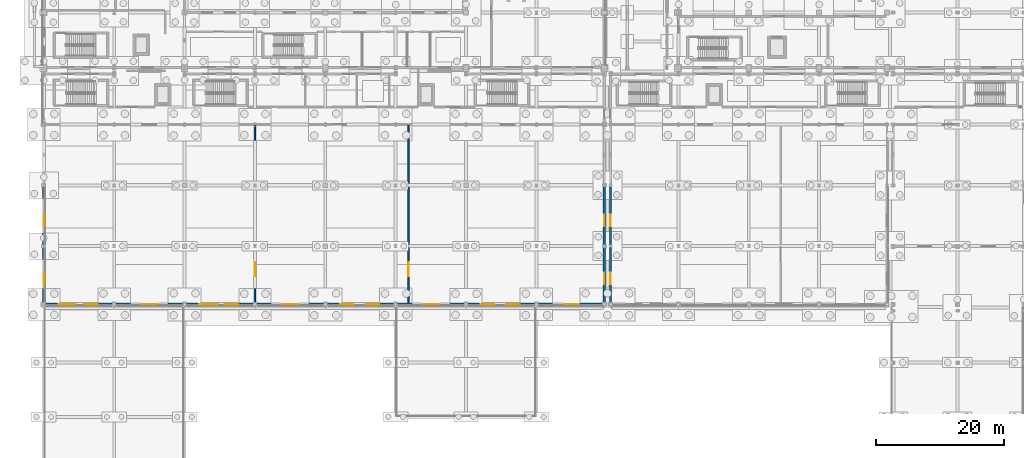
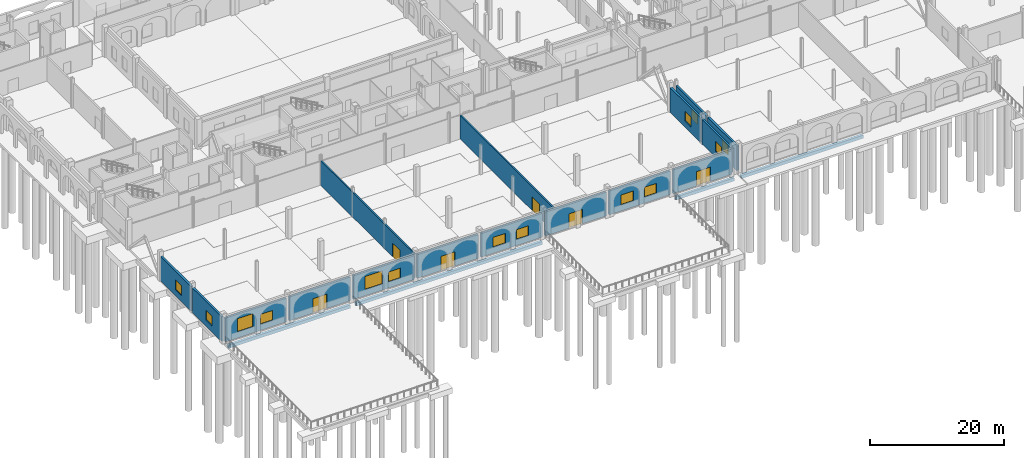
# One storey, part 51 of 83: 20 walls, 14 windows, 6 doors, 20 openings.
"""IFC4 building model written with IfcOpenShell, lengths in metres."""

from ifc_helpers import new_model, si_unit, direction, frame, frame_2d, origin, place, context, subcontext, project, spatial, rectangle, extrude, material, layer, layer_set, type_object, element, fill, save


model = new_model("IFC4")

# Units and contexts
model_context = context("Model", 3, precision=1e-05, world=origin(), true_north=direction((0.0, 1.0)))
body_context = subcontext(model_context, "Body", "Model", "MODEL_VIEW")
ifc_project = project(units=[si_unit("LENGTHUNIT", "METRE"), si_unit("AREAUNIT", "SQUARE_METRE"), si_unit("VOLUMEUNIT", "CUBIC_METRE"), si_unit("PLANEANGLEUNIT", "RADIAN"), si_unit("MASSUNIT", "GRAM", prefix="KILO")], contexts=[model_context])

# Site, building, storey
site_placement = place(None, origin())
site = spatial("IfcSite", under=ifc_project, at=site_placement, CompositionType="ELEMENT")
building_placement = place(site_placement, origin())
building = spatial("IfcBuilding", under=site, at=building_placement, Name="Caurita Quay Ferry Terminal", CompositionType="ELEMENT")
storey_placement = place(building_placement, origin())
storey = spatial("IfcBuildingStorey", under=building, at=storey_placement, Name="L00", CompositionType="ELEMENT", Elevation=0.0)

# Wall, opening, door
ifc_material_1 = material(Name="Warm-white lime stucco masonry", Category="masonry")
ifc_layer_1 = layer(ifc_material_1, 0.239990234375, Name="Interior partitioning wall 240 mm")
ifc_layer_set_1 = layer_set([ifc_layer_1], Name="Warm-white lime stucco masonry")
wall_type_1 = type_object("IfcWallType", Name="WL-COMP-240", PredefinedType="PARTITIONING", material=ifc_layer_set_1)
wall_1_placement = place(storey_placement, frame((33.0, 34.77490234375, 0.0), z_axis=(0.0, 0.0, 1.0), x_axis=(0.0, 1.0, 0.0)))
wall_1 = element("IfcWall", 1, at=wall_1_placement, inside=storey, type_object=wall_type_1, Name="L00 Interior Partition IW-L00-002", PredefinedType="PARTITIONING", context=body_context, shape_type="SweptSolid", body=[
    extrude(rectangle(XDim=27.820068359375, YDim=0.239990234375, at=frame_2d((13.91015625, 0.0))), origin(), (0.0, 0.0, 1.0), 4.48291015625),
])
opening_1_placement = place(wall_1_placement, frame((4.22509765625, 0.0, 0.0)))
opening_1 = element("IfcOpeningElement", 2, at=opening_1_placement, cuts=wall_1, Name="Opening ID-01", PredefinedType="OPENING", context=body_context, shape_type="SweptSolid", body=[
    extrude(rectangle(XDim=2.199951171875, YDim=2.5, at=frame_2d((1.10009765625, 1.25))), frame((0.0, 0.1298828125, 0.0), z_axis=(0.0, -1.0, 0.0), x_axis=(1.0, 0.0, 0.0)), (0.0, 0.0, 1.0), 0.260009765625),
])
ifc_material_2 = material(Name="Anodized aluminium 6063-T6", Category="aluminium")
door_type_1 = type_object("IfcDoorType", Name="DR-HALL-2200", OperationType="NOTDEFINED", PredefinedType="DOOR", material=ifc_material_2)
door_1_placement = place(opening_1_placement, frame((2.199951171875, 0.0, 0.0), z_axis=(0.0, 0.0, 1.0), x_axis=(-1.0, 0.0, 0.0)))
door_1 = element("IfcDoor", 3, at=door_1_placement, inside=storey, type_object=door_type_1, Name="Baggage West to Vestibule Door", OperationType="SINGLE_SWING_RIGHT", OverallHeight=2.5, OverallWidth=2.199951171875, PredefinedType="DOOR", context=body_context, shape_type="SweptSolid", body=[
    extrude(rectangle(XDim=2.199951171875, YDim=2.5, at=frame_2d((1.10009765625, 1.25))), frame((0.0, 0.02490234375, 0.0), z_axis=(0.0, -1.0, 0.0), x_axis=(1.0, 0.0, 0.0)), (0.0, 0.0, 1.0), 0.050048828125),
])
fill(opening_1, door_1)

wall_2_placement = place(storey_placement, frame((57.0, 34.77490234375, 0.0), z_axis=(0.0, 0.0, 1.0), x_axis=(0.0, 1.0, 0.0)))
wall_2 = element("IfcWall", 4, at=wall_2_placement, inside=storey, type_object=wall_type_1, Name="L00 Interior Partition IW-L00-003", PredefinedType="PARTITIONING", context=body_context, shape_type="SweptSolid", body=[
    extrude(rectangle(XDim=27.820068359375, YDim=0.239990234375, at=frame_2d((13.91015625, 0.0))), origin(), (0.0, 0.0, 1.0), 4.315185546875),
])
opening_2_placement = place(wall_2_placement, frame((4.22509765625, 0.0, 0.0)))
opening_2 = element("IfcOpeningElement", 5, at=opening_2_placement, cuts=wall_2, Name="Opening ID-01", PredefinedType="OPENING", context=body_context, shape_type="SweptSolid", body=[
    extrude(rectangle(XDim=2.199951171875, YDim=2.5, at=frame_2d((1.10009765625, 1.25))), frame((0.0, 0.1298828125, 0.0), z_axis=(0.0, -1.0, 0.0), x_axis=(1.0, 0.0, 0.0)), (0.0, 0.0, 1.0), 0.260009765625),
])
door_2_placement = place(opening_2_placement, origin())
door_2 = element("IfcDoor", 6, at=door_2_placement, inside=storey, type_object=door_type_1, Name="Vestibule to Baggage East Door", OperationType="SINGLE_SWING_LEFT", OverallHeight=2.5, OverallWidth=2.199951171875, PredefinedType="DOOR", context=body_context, shape_type="SweptSolid", body=[
    extrude(rectangle(XDim=2.199951171875, YDim=2.5, at=frame_2d((1.10009765625, 1.25))), frame((0.0, 0.02490234375, 0.0), z_axis=(0.0, -1.0, 0.0), x_axis=(1.0, 0.0, 0.0)), (0.0, 0.0, 1.0), 0.050048828125),
])
fill(opening_2, door_2)

# Wall, openings, windows
ifc_layer_2 = layer(ifc_material_1, 0.340087890625, Name="Exterior solidwall wall 340 mm")
ifc_layer_set_2 = layer_set([ifc_layer_2], Name="Warm-white lime stucco masonry")
wall_type_2 = type_object("IfcWallType", Name="WL-EXT-340", PredefinedType="SOLIDWALL", material=ifc_layer_set_2)
wall_3_placement = place(storey_placement, frame((0.24609375, 34.60009765625, 0.0), z_axis=(0.0, 0.0, 1.0), x_axis=(1.0, 0.0, 0.0)))
wall_3 = element("IfcWall", 7, at=wall_3_placement, inside=storey, type_object=wall_type_2, Name="L00 Exterior Wall EW-L00-146", PredefinedType="SOLIDWALL", context=body_context, shape_type="SweptSolid", body=[
    extrude(rectangle(XDim=10.5078125, YDim=0.340087890625, at=frame_2d((5.25390625, 0.0))), origin(), (0.0, 0.0, 1.0), 4.315185546875),
])
opening_3_placement = place(wall_3_placement, frame((2.053955078125, 0.0, 1.10009765625)))
opening_3 = element("IfcOpeningElement", 8, at=opening_3_placement, cuts=wall_3, Name="Opening W-15", PredefinedType="OPENING", context=body_context, shape_type="SweptSolid", body=[
    extrude(rectangle(XDim=2.699951171875, YDim=2.39990234375, at=frame_2d((1.35009765625, 1.199951171875))), frame((0.0, 0.179931640625, 0.0), z_axis=(0.0, -1.0, 0.0), x_axis=(1.0, 0.0, 0.0)), (0.0, 0.0, 1.0), 0.360107421875),
])
opening_4_placement = place(wall_3_placement, frame((6.053955078125, 0.0, 1.10009765625)))
opening_4 = element("IfcOpeningElement", 9, at=opening_4_placement, cuts=wall_3, Name="Opening W-11", PredefinedType="OPENING", context=body_context, shape_type="SweptSolid", body=[
    extrude(rectangle(XDim=2.10009765625, YDim=1.800048828125, at=frame_2d((1.050048828125, 0.89990234375))), frame((0.0, 0.179931640625, 0.0), z_axis=(0.0, -1.0, 0.0), x_axis=(1.0, 0.0, 0.0)), (0.0, 0.0, 1.0), 0.360107421875),
])
ifc_material_3 = material(Name="Laminated solar-control insulated glass", Category="glass")
window_type_1 = type_object("IfcWindowType", Name="WIN-SC-2118", PartitioningType="SINGLE_PANEL", PredefinedType="WINDOW", material=ifc_material_3)
window_1_placement = place(opening_4_placement, origin())
window_1 = element("IfcWindow", 10, at=window_1_placement, inside=storey, type_object=window_type_1, Name="L00 Casement Window WN-L00-232", OverallHeight=1.800048828125, OverallWidth=2.10009765625, PartitioningType="SINGLE_PANEL", PredefinedType="WINDOW", context=body_context, shape_type="SweptSolid", body=[
    extrude(rectangle(XDim=2.10009765625, YDim=1.800048828125, at=frame_2d((1.050048828125, 0.89990234375))), frame((0.0, 0.030029296875, 0.0), z_axis=(0.0, -1.0, 0.0), x_axis=(1.0, 0.0, 0.0)), (0.0, 0.0, 1.0), 0.06005859375),
])
fill(opening_4, window_1)
window_type_2 = type_object("IfcWindowType", Name="WIN-SC-2724", PartitioningType="SINGLE_PANEL", PredefinedType="WINDOW", material=ifc_material_3)
window_2_placement = place(opening_3_placement, origin())
window_2 = element("IfcWindow", 11, at=window_2_placement, inside=storey, type_object=window_type_2, Name="L00 Casement Window WN-L00-231", OverallHeight=2.39990234375, OverallWidth=2.699951171875, PartitioningType="SINGLE_PANEL", PredefinedType="WINDOW", context=body_context, shape_type="SweptSolid", body=[
    extrude(rectangle(XDim=2.699951171875, YDim=2.39990234375, at=frame_2d((1.35009765625, 1.199951171875))), frame((0.0, 0.030029296875, 0.0), z_axis=(0.0, -1.0, 0.0), x_axis=(1.0, 0.0, 0.0)), (0.0, 0.0, 1.0), 0.06005859375),
])
fill(opening_3, window_2)

# Wall, opening, door
wall_4_placement = place(storey_placement, frame((11.24609375, 34.60009765625, 0.0), z_axis=(0.0, 0.0, 1.0), x_axis=(1.0, 0.0, 0.0)))
wall_4 = element("IfcWall", 12, at=wall_4_placement, inside=storey, type_object=wall_type_2, Name="L00 Exterior Wall EW-L00-147", PredefinedType="SOLIDWALL", context=body_context, shape_type="SweptSolid", body=[
    extrude(rectangle(XDim=10.5078125, YDim=0.340087890625, at=frame_2d((5.25390625, 0.0))), origin(), (0.0, 0.0, 1.0), 4.315185546875),
])
opening_5_placement = place(wall_4_placement, frame((4.053955078125, 0.0, 0.0)))
opening_5 = element("IfcOpeningElement", 13, at=opening_5_placement, cuts=wall_4, Name="Opening ED-01", PredefinedType="OPENING", context=body_context, shape_type="SweptSolid", body=[
    extrude(rectangle(XDim=2.39990234375, YDim=2.60009765625, at=frame_2d((1.199951171875, 1.300048828125))), frame((0.0, 0.179931640625, 0.0), z_axis=(0.0, -1.0, 0.0), x_axis=(1.0, 0.0, 0.0)), (0.0, 0.0, 1.0), 0.360107421875),
])
door_type_2 = type_object("IfcDoorType", Name="DR-EXT-2426", OperationType="NOTDEFINED", PredefinedType="DOOR", material=ifc_material_2)
door_3_placement = place(opening_5_placement, frame((2.39990234375, 0.0, 0.0), z_axis=(0.0, 0.0, 1.0), x_axis=(-1.0, 0.0, 0.0)))
door_3 = element("IfcDoor", 14, at=door_3_placement, inside=storey, type_object=door_type_2, Name="Quay Apron Baggage Exit ED-Q2", OperationType="SINGLE_SWING_LEFT", OverallHeight=2.60009765625, OverallWidth=2.39990234375, PredefinedType="DOOR", context=body_context, shape_type="SweptSolid", body=[
    extrude(rectangle(XDim=2.39990234375, YDim=2.60009765625, at=frame_2d((1.199951171875, 1.300048828125))), frame((0.0, 0.02490234375, 0.0), z_axis=(0.0, -1.0, 0.0), x_axis=(1.0, 0.0, 0.0)), (0.0, 0.0, 1.0), 0.050048828125),
])
fill(opening_5, door_3)

# Wall, openings, windows
wall_5_placement = place(storey_placement, frame((22.24609375, 34.60009765625, 0.0), z_axis=(0.0, 0.0, 1.0), x_axis=(1.0, 0.0, 0.0)))
wall_5 = element("IfcWall", 15, at=wall_5_placement, inside=storey, type_object=wall_type_2, Name="L00 Exterior Wall EW-L00-148", PredefinedType="SOLIDWALL", context=body_context, shape_type="SweptSolid", body=[
    extrude(rectangle(XDim=10.5078125, YDim=0.340087890625, at=frame_2d((5.25390625, 0.0))), origin(), (0.0, 0.0, 1.0), 4.315185546875),
])
opening_6_placement = place(wall_5_placement, frame((2.053955078125, 0.0, 1.10009765625)))
opening_6 = element("IfcOpeningElement", 16, at=opening_6_placement, cuts=wall_5, Name="Opening W-16", PredefinedType="OPENING", context=body_context, shape_type="SweptSolid", body=[
    extrude(rectangle(XDim=3.0, YDim=2.39990234375, at=frame_2d((1.5, 1.199951171875))), frame((0.0, 0.179931640625, 0.0), z_axis=(0.0, -1.0, 0.0), x_axis=(1.0, 0.0, 0.0)), (0.0, 0.0, 1.0), 0.360107421875),
])
opening_7_placement = place(wall_5_placement, frame((6.053955078125, 0.0, 1.10009765625)))
opening_7 = element("IfcOpeningElement", 17, at=opening_7_placement, cuts=wall_5, Name="Opening W-11", PredefinedType="OPENING", context=body_context, shape_type="SweptSolid", body=[
    extrude(rectangle(XDim=2.10009765625, YDim=1.800048828125, at=frame_2d((1.050048828125, 0.89990234375))), frame((0.0, 0.179931640625, 0.0), z_axis=(0.0, -1.0, 0.0), x_axis=(1.0, 0.0, 0.0)), (0.0, 0.0, 1.0), 0.360107421875),
])
window_3_placement = place(opening_7_placement, origin())
window_3 = element("IfcWindow", 18, at=window_3_placement, inside=storey, type_object=window_type_1, Name="L00 Casement Window WN-L00-234", OverallHeight=1.800048828125, OverallWidth=2.10009765625, PartitioningType="SINGLE_PANEL", PredefinedType="WINDOW", context=body_context, shape_type="SweptSolid", body=[
    extrude(rectangle(XDim=2.10009765625, YDim=1.800048828125, at=frame_2d((1.050048828125, 0.89990234375))), frame((0.0, 0.030029296875, 0.0), z_axis=(0.0, -1.0, 0.0), x_axis=(1.0, 0.0, 0.0)), (0.0, 0.0, 1.0), 0.06005859375),
])
fill(opening_7, window_3)
window_type_3 = type_object("IfcWindowType", Name="WIN-SC-3024", PartitioningType="SINGLE_PANEL", PredefinedType="WINDOW", material=ifc_material_3)
window_4_placement = place(opening_6_placement, origin())
window_4 = element("IfcWindow", 19, at=window_4_placement, inside=storey, type_object=window_type_3, Name="L00 Casement Window WN-L00-233", OverallHeight=2.39990234375, OverallWidth=3.0, PartitioningType="SINGLE_PANEL", PredefinedType="WINDOW", context=body_context, shape_type="SweptSolid", body=[
    extrude(rectangle(XDim=3.0, YDim=2.39990234375, at=frame_2d((1.5, 1.199951171875))), frame((0.0, 0.030029296875, 0.0), z_axis=(0.0, -1.0, 0.0), x_axis=(1.0, 0.0, 0.0)), (0.0, 0.0, 1.0), 0.06005859375),
])
fill(opening_6, window_4)

# Wall, opening, door
wall_6_placement = place(storey_placement, frame((33.24609375, 34.60009765625, 0.0), z_axis=(0.0, 0.0, 1.0), x_axis=(1.0, 0.0, 0.0)))
wall_6 = element("IfcWall", 20, at=wall_6_placement, inside=storey, type_object=wall_type_2, Name="L00 Exterior Wall EW-L00-149", PredefinedType="SOLIDWALL", context=body_context, shape_type="SweptSolid", body=[
    extrude(rectangle(XDim=10.5078125, YDim=0.340087890625, at=frame_2d((5.25390625, 0.0))), origin(), (0.0, 0.0, 1.0), 4.315185546875),
])
opening_8_placement = place(wall_6_placement, frame((4.053955078125, 0.0, 0.0)))
opening_8 = element("IfcOpeningElement", 21, at=opening_8_placement, cuts=wall_6, Name="Opening ED-01", PredefinedType="OPENING", context=body_context, shape_type="SweptSolid", body=[
    extrude(rectangle(XDim=2.39990234375, YDim=2.60009765625, at=frame_2d((1.199951171875, 1.300048828125))), frame((0.0, 0.179931640625, 0.0), z_axis=(0.0, -1.0, 0.0), x_axis=(1.0, 0.0, 0.0)), (0.0, 0.0, 1.0), 0.360107421875),
])
door_4_placement = place(opening_8_placement, frame((2.39990234375, 0.0, 0.0), z_axis=(0.0, 0.0, 1.0), x_axis=(-1.0, 0.0, 0.0)))
door_4 = element("IfcDoor", 22, at=door_4_placement, inside=storey, type_object=door_type_2, Name="Quay Apron Baggage Exit ED-Q4", OperationType="SINGLE_SWING_RIGHT", OverallHeight=2.60009765625, OverallWidth=2.39990234375, PredefinedType="DOOR", context=body_context, shape_type="SweptSolid", body=[
    extrude(rectangle(XDim=2.39990234375, YDim=2.60009765625, at=frame_2d((1.199951171875, 1.300048828125))), frame((0.0, 0.02490234375, 0.0), z_axis=(0.0, -1.0, 0.0), x_axis=(1.0, 0.0, 0.0)), (0.0, 0.0, 1.0), 0.050048828125),
])
fill(opening_8, door_4)

# Wall, openings, windows
wall_7_placement = place(storey_placement, frame((44.24609375, 34.60009765625, 0.0), z_axis=(0.0, 0.0, 1.0), x_axis=(1.0, 0.0, 0.0)))
wall_7 = element("IfcWall", 23, at=wall_7_placement, inside=storey, type_object=wall_type_2, Name="L00 Exterior Wall EW-L00-150", PredefinedType="SOLIDWALL", context=body_context, shape_type="SweptSolid", body=[
    extrude(rectangle(XDim=10.5078125, YDim=0.340087890625, at=frame_2d((5.25390625, 0.0))), origin(), (0.0, 0.0, 1.0), 4.315185546875),
])
opening_9_placement = place(wall_7_placement, frame((2.053955078125, 0.0, 1.10009765625)))
opening_9 = element("IfcOpeningElement", 24, at=opening_9_placement, cuts=wall_7, Name="Opening W-11", PredefinedType="OPENING", context=body_context, shape_type="SweptSolid", body=[
    extrude(rectangle(XDim=2.10009765625, YDim=1.800048828125, at=frame_2d((1.050048828125, 0.89990234375))), frame((0.0, 0.179931640625, 0.0), z_axis=(0.0, -1.0, 0.0), x_axis=(1.0, 0.0, 0.0)), (0.0, 0.0, 1.0), 0.360107421875),
])
opening_10_placement = place(wall_7_placement, frame((6.053955078125, 0.0, 1.10009765625)))
opening_10 = element("IfcOpeningElement", 25, at=opening_10_placement, cuts=wall_7, Name="Opening W-11", PredefinedType="OPENING", context=body_context, shape_type="SweptSolid", body=[
    extrude(rectangle(XDim=2.10009765625, YDim=1.800048828125, at=frame_2d((1.050048828125, 0.89990234375))), frame((0.0, 0.179931640625, 0.0), z_axis=(0.0, -1.0, 0.0), x_axis=(1.0, 0.0, 0.0)), (0.0, 0.0, 1.0), 0.360107421875),
])
window_5_placement = place(opening_9_placement, origin())
window_5 = element("IfcWindow", 26, at=window_5_placement, inside=storey, type_object=window_type_1, Name="L00 Casement Window WN-L00-235", OverallHeight=1.800048828125, OverallWidth=2.10009765625, PartitioningType="SINGLE_PANEL", PredefinedType="WINDOW", context=body_context, shape_type="SweptSolid", body=[
    extrude(rectangle(XDim=2.10009765625, YDim=1.800048828125, at=frame_2d((1.050048828125, 0.89990234375))), frame((0.0, 0.030029296875, 0.0), z_axis=(0.0, -1.0, 0.0), x_axis=(1.0, 0.0, 0.0)), (0.0, 0.0, 1.0), 0.06005859375),
])
fill(opening_9, window_5)
window_6_placement = place(opening_10_placement, origin())
window_6 = element("IfcWindow", 27, at=window_6_placement, inside=storey, type_object=window_type_1, Name="L00 Casement Window WN-L00-236", OverallHeight=1.800048828125, OverallWidth=2.10009765625, PartitioningType="SINGLE_PANEL", PredefinedType="WINDOW", context=body_context, shape_type="SweptSolid", body=[
    extrude(rectangle(XDim=2.10009765625, YDim=1.800048828125, at=frame_2d((1.050048828125, 0.89990234375))), frame((0.0, 0.030029296875, 0.0), z_axis=(0.0, -1.0, 0.0), x_axis=(1.0, 0.0, 0.0)), (0.0, 0.0, 1.0), 0.06005859375),
])
fill(opening_10, window_6)

# Wall, opening, door
wall_8_placement = place(storey_placement, frame((55.24609375, 34.60009765625, 0.0), z_axis=(0.0, 0.0, 1.0), x_axis=(1.0, 0.0, 0.0)))
wall_8 = element("IfcWall", 28, at=wall_8_placement, inside=storey, type_object=wall_type_2, Name="L00 Exterior Wall EW-L00-151", PredefinedType="SOLIDWALL", context=body_context, shape_type="SweptSolid", body=[
    extrude(rectangle(XDim=10.5078125, YDim=0.340087890625, at=frame_2d((5.25390625, 0.0))), origin(), (0.0, 0.0, 1.0), 4.315185546875),
])
opening_11_placement = place(wall_8_placement, frame((4.053955078125, 0.0, 0.0)))
opening_11 = element("IfcOpeningElement", 29, at=opening_11_placement, cuts=wall_8, Name="Opening ED-01", PredefinedType="OPENING", context=body_context, shape_type="SweptSolid", body=[
    extrude(rectangle(XDim=2.39990234375, YDim=2.60009765625, at=frame_2d((1.199951171875, 1.300048828125))), frame((0.0, 0.179931640625, 0.0), z_axis=(0.0, -1.0, 0.0), x_axis=(1.0, 0.0, 0.0)), (0.0, 0.0, 1.0), 0.360107421875),
])
door_5_placement = place(opening_11_placement, frame((2.39990234375, 0.0, 0.0), z_axis=(0.0, 0.0, 1.0), x_axis=(-1.0, 0.0, 0.0)))
door_5 = element("IfcDoor", 30, at=door_5_placement, inside=storey, type_object=door_type_2, Name="Quay Apron Baggage Exit ED-Q6", OperationType="SINGLE_SWING_LEFT", OverallHeight=2.60009765625, OverallWidth=2.39990234375, PredefinedType="DOOR", context=body_context, shape_type="SweptSolid", body=[
    extrude(rectangle(XDim=2.39990234375, YDim=2.60009765625, at=frame_2d((1.199951171875, 1.300048828125))), frame((0.0, 0.02490234375, 0.0), z_axis=(0.0, -1.0, 0.0), x_axis=(1.0, 0.0, 0.0)), (0.0, 0.0, 1.0), 0.050048828125),
])
fill(opening_11, door_5)

# Wall, openings, windows
wall_9_placement = place(storey_placement, frame((66.24609375, 34.60009765625, 0.0), z_axis=(0.0, 0.0, 1.0), x_axis=(1.0, 0.0, 0.0)))
wall_9 = element("IfcWall", 31, at=wall_9_placement, inside=storey, type_object=wall_type_2, Name="L00 Exterior Wall EW-L00-152", PredefinedType="SOLIDWALL", context=body_context, shape_type="SweptSolid", body=[
    extrude(rectangle(XDim=10.5078125, YDim=0.340087890625, at=frame_2d((5.25390625, 0.0))), origin(), (0.0, 0.0, 1.0), 4.315185546875),
])
opening_12_placement = place(wall_9_placement, frame((2.053955078125, 0.0, 1.10009765625)))
opening_12 = element("IfcOpeningElement", 32, at=opening_12_placement, cuts=wall_9, Name="Opening W-11", PredefinedType="OPENING", context=body_context, shape_type="SweptSolid", body=[
    extrude(rectangle(XDim=2.10009765625, YDim=1.800048828125, at=frame_2d((1.050048828125, 0.89990234375))), frame((0.0, 0.179931640625, 0.0), z_axis=(0.0, -1.0, 0.0), x_axis=(1.0, 0.0, 0.0)), (0.0, 0.0, 1.0), 0.360107421875),
])
opening_13_placement = place(wall_9_placement, frame((6.053955078125, 0.0, 1.10009765625)))
opening_13 = element("IfcOpeningElement", 33, at=opening_13_placement, cuts=wall_9, Name="Opening W-11", PredefinedType="OPENING", context=body_context, shape_type="SweptSolid", body=[
    extrude(rectangle(XDim=2.10009765625, YDim=1.800048828125, at=frame_2d((1.050048828125, 0.89990234375))), frame((0.0, 0.179931640625, 0.0), z_axis=(0.0, -1.0, 0.0), x_axis=(1.0, 0.0, 0.0)), (0.0, 0.0, 1.0), 0.360107421875),
])
window_7_placement = place(opening_12_placement, origin())
window_7 = element("IfcWindow", 34, at=window_7_placement, inside=storey, type_object=window_type_1, Name="L00 Casement Window WN-L00-237", OverallHeight=1.800048828125, OverallWidth=2.10009765625, PartitioningType="SINGLE_PANEL", PredefinedType="WINDOW", context=body_context, shape_type="SweptSolid", body=[
    extrude(rectangle(XDim=2.10009765625, YDim=1.800048828125, at=frame_2d((1.050048828125, 0.89990234375))), frame((0.0, 0.030029296875, 0.0), z_axis=(0.0, -1.0, 0.0), x_axis=(1.0, 0.0, 0.0)), (0.0, 0.0, 1.0), 0.06005859375),
])
fill(opening_12, window_7)
window_8_placement = place(opening_13_placement, origin())
window_8 = element("IfcWindow", 35, at=window_8_placement, inside=storey, type_object=window_type_1, Name="L00 Casement Window WN-L00-238", OverallHeight=1.800048828125, OverallWidth=2.10009765625, PartitioningType="SINGLE_PANEL", PredefinedType="WINDOW", context=body_context, shape_type="SweptSolid", body=[
    extrude(rectangle(XDim=2.10009765625, YDim=1.800048828125, at=frame_2d((1.050048828125, 0.89990234375))), frame((0.0, 0.030029296875, 0.0), z_axis=(0.0, -1.0, 0.0), x_axis=(1.0, 0.0, 0.0)), (0.0, 0.0, 1.0), 0.06005859375),
])
fill(opening_13, window_8)

# Wall, opening, door
wall_10_placement = place(storey_placement, frame((77.24609375, 34.60009765625, 0.0), z_axis=(0.0, 0.0, 1.0), x_axis=(1.0, 0.0, 0.0)))
wall_10 = element("IfcWall", 36, at=wall_10_placement, inside=storey, type_object=wall_type_2, Name="L00 Exterior Wall EW-L00-153", PredefinedType="SOLIDWALL", context=body_context, shape_type="SweptSolid", body=[
    extrude(rectangle(XDim=10.10791015625, YDim=0.340087890625, at=frame_2d((5.053955078125, 0.0))), origin(), (0.0, 0.0, 1.0), 4.315185546875),
])
opening_14_placement = place(wall_10_placement, frame((4.053955078125, 0.0, 0.0)))
opening_14 = element("IfcOpeningElement", 37, at=opening_14_placement, cuts=wall_10, Name="Opening ED-01", PredefinedType="OPENING", context=body_context, shape_type="SweptSolid", body=[
    extrude(rectangle(XDim=2.39990234375, YDim=2.60009765625, at=frame_2d((1.199951171875, 1.300048828125))), frame((0.0, 0.179931640625, 0.0), z_axis=(0.0, -1.0, 0.0), x_axis=(1.0, 0.0, 0.0)), (0.0, 0.0, 1.0), 0.360107421875),
])
door_6_placement = place(opening_14_placement, frame((2.39990234375, 0.0, 0.0), z_axis=(0.0, 0.0, 1.0), x_axis=(-1.0, 0.0, 0.0)))
door_6 = element("IfcDoor", 38, at=door_6_placement, inside=storey, type_object=door_type_2, Name="Quay Apron Baggage Exit ED-Q8", OperationType="SINGLE_SWING_RIGHT", OverallHeight=2.60009765625, OverallWidth=2.39990234375, PredefinedType="DOOR", context=body_context, shape_type="SweptSolid", body=[
    extrude(rectangle(XDim=2.39990234375, YDim=2.60009765625, at=frame_2d((1.199951171875, 1.300048828125))), frame((0.0, 0.02490234375, 0.0), z_axis=(0.0, -1.0, 0.0), x_axis=(1.0, 0.0, 0.0)), (0.0, 0.0, 1.0), 0.050048828125),
])
fill(opening_14, door_6)

# Wall, opening, window
wall_11_placement = place(storey_placement, frame((0.0, 34.845947265625, 0.0), z_axis=(0.0, 0.0, 1.0), x_axis=(0.0, 1.0, 0.0)))
wall_11 = element("IfcWall", 39, at=wall_11_placement, inside=storey, type_object=wall_type_2, Name="L00 Exterior Wall EW-L00-154", PredefinedType="SOLIDWALL", context=body_context, shape_type="SweptSolid", body=[
    extrude(rectangle(XDim=8.647705078125, YDim=0.340087890625, at=frame_2d((4.32373046875, 0.0))), origin(), (0.0, 0.0, 1.0), 4.48291015625),
])
opening_15_placement = place(wall_11_placement, frame((2.85400390625, 0.0, 1.10009765625)))
opening_15 = element("IfcOpeningElement", 40, at=opening_15_placement, cuts=wall_11, Name="Opening W-09", PredefinedType="OPENING", context=body_context, shape_type="SweptSolid", body=[
    extrude(rectangle(XDim=1.800048828125, YDim=1.800048828125, at=frame_2d((0.89990234375, 0.89990234375))), frame((0.0, 0.179931640625, 0.0), z_axis=(0.0, -1.0, 0.0), x_axis=(1.0, 0.0, 0.0)), (0.0, 0.0, 1.0), 0.360107421875),
])
window_type_4 = type_object("IfcWindowType", Name="WIN-SC-1818", PartitioningType="SINGLE_PANEL", PredefinedType="WINDOW", material=ifc_material_3)
window_9_placement = place(opening_15_placement, origin())
window_9 = element("IfcWindow", 41, at=window_9_placement, inside=storey, type_object=window_type_4, Name="L00 Casement Window WN-L00-239", OverallHeight=1.800048828125, OverallWidth=1.800048828125, PartitioningType="SINGLE_PANEL", PredefinedType="WINDOW", context=body_context, shape_type="SweptSolid", body=[
    extrude(rectangle(XDim=1.800048828125, YDim=1.800048828125, at=frame_2d((0.89990234375, 0.89990234375))), frame((0.0, 0.030029296875, 0.0), z_axis=(0.0, -1.0, 0.0), x_axis=(1.0, 0.0, 0.0)), (0.0, 0.0, 1.0), 0.06005859375),
])
fill(opening_15, window_9)

wall_12_placement = place(storey_placement, frame((0.0, 43.90625, 0.0), z_axis=(0.0, 0.0, 1.0), x_axis=(0.0, 1.0, 0.0)))
wall_12 = element("IfcWall", 42, at=wall_12_placement, inside=storey, type_object=wall_type_2, Name="L00 Exterior Wall EW-L00-155", PredefinedType="SOLIDWALL", context=body_context, shape_type="SweptSolid", body=[
    extrude(rectangle(XDim=9.08740234375, YDim=0.340087890625, at=frame_2d((4.543701171875, 0.0))), origin(), (0.0, 0.0, 1.0), 4.48291015625),
])
opening_16_placement = place(wall_12_placement, frame((2.893798828125, 0.0, 1.10009765625)))
opening_16 = element("IfcOpeningElement", 43, at=opening_16_placement, cuts=wall_12, Name="Opening W-09", PredefinedType="OPENING", context=body_context, shape_type="SweptSolid", body=[
    extrude(rectangle(XDim=1.800048828125, YDim=1.800048828125, at=frame_2d((0.89990234375, 0.89990234375))), frame((0.0, 0.179931640625, 0.0), z_axis=(0.0, -1.0, 0.0), x_axis=(1.0, 0.0, 0.0)), (0.0, 0.0, 1.0), 0.360107421875),
])
window_10_placement = place(opening_16_placement, origin())
window_10 = element("IfcWindow", 44, at=window_10_placement, inside=storey, type_object=window_type_4, Name="L00 Casement Window WN-L00-240", OverallHeight=1.800048828125, OverallWidth=1.800048828125, PartitioningType="SINGLE_PANEL", PredefinedType="WINDOW", context=body_context, shape_type="SweptSolid", body=[
    extrude(rectangle(XDim=1.800048828125, YDim=1.800048828125, at=frame_2d((0.89990234375, 0.89990234375))), frame((0.0, 0.030029296875, 0.0), z_axis=(0.0, -1.0, 0.0), x_axis=(1.0, 0.0, 0.0)), (0.0, 0.0, 1.0), 0.06005859375),
])
fill(opening_16, window_10)

wall_13_placement = place(storey_placement, frame((87.60009765625, 34.845947265625, 0.0), z_axis=(0.0, 0.0, 1.0), x_axis=(0.0, 1.0, 0.0)))
wall_13 = element("IfcWall", 45, at=wall_13_placement, inside=storey, type_object=wall_type_2, Name="L00 Exterior Wall EW-L00-156", PredefinedType="SOLIDWALL", context=body_context, shape_type="SweptSolid", body=[
    extrude(rectangle(XDim=8.647705078125, YDim=0.340087890625, at=frame_2d((4.32373046875, 0.0))), origin(), (0.0, 0.0, 1.0), 4.48291015625),
])
opening_17_placement = place(wall_13_placement, frame((2.85400390625, 0.0, 1.10009765625)))
opening_17 = element("IfcOpeningElement", 46, at=opening_17_placement, cuts=wall_13, Name="Opening W-09", PredefinedType="OPENING", context=body_context, shape_type="SweptSolid", body=[
    extrude(rectangle(XDim=1.800048828125, YDim=1.800048828125, at=frame_2d((0.89990234375, 0.89990234375))), frame((0.0, 0.179931640625, 0.0), z_axis=(0.0, -1.0, 0.0), x_axis=(1.0, 0.0, 0.0)), (0.0, 0.0, 1.0), 0.360107421875),
])
window_11_placement = place(opening_17_placement, origin())
window_11 = element("IfcWindow", 47, at=window_11_placement, inside=storey, type_object=window_type_4, Name="L00 Casement Window WN-L00-241", OverallHeight=1.800048828125, OverallWidth=1.800048828125, PartitioningType="SINGLE_PANEL", PredefinedType="WINDOW", context=body_context, shape_type="SweptSolid", body=[
    extrude(rectangle(XDim=1.800048828125, YDim=1.800048828125, at=frame_2d((0.89990234375, 0.89990234375))), frame((0.0, 0.030029296875, 0.0), z_axis=(0.0, -1.0, 0.0), x_axis=(1.0, 0.0, 0.0)), (0.0, 0.0, 1.0), 0.06005859375),
])
fill(opening_17, window_11)

wall_14_placement = place(storey_placement, frame((87.60009765625, 43.90625, 0.0), z_axis=(0.0, 0.0, 1.0), x_axis=(0.0, 1.0, 0.0)))
wall_14 = element("IfcWall", 48, at=wall_14_placement, inside=storey, type_object=wall_type_2, Name="L00 Exterior Wall EW-L00-157", PredefinedType="SOLIDWALL", context=body_context, shape_type="SweptSolid", body=[
    extrude(rectangle(XDim=9.08740234375, YDim=0.340087890625, at=frame_2d((4.543701171875, 0.0))), origin(), (0.0, 0.0, 1.0), 4.48291015625),
])
opening_18_placement = place(wall_14_placement, frame((2.893798828125, 0.0, 1.10009765625)))
opening_18 = element("IfcOpeningElement", 49, at=opening_18_placement, cuts=wall_14, Name="Opening W-09", PredefinedType="OPENING", context=body_context, shape_type="SweptSolid", body=[
    extrude(rectangle(XDim=1.800048828125, YDim=1.800048828125, at=frame_2d((0.89990234375, 0.89990234375))), frame((0.0, 0.179931640625, 0.0), z_axis=(0.0, -1.0, 0.0), x_axis=(1.0, 0.0, 0.0)), (0.0, 0.0, 1.0), 0.360107421875),
])
window_12_placement = place(opening_18_placement, origin())
window_12 = element("IfcWindow", 50, at=window_12_placement, inside=storey, type_object=window_type_4, Name="L00 Casement Window WN-L00-242", OverallHeight=1.800048828125, OverallWidth=1.800048828125, PartitioningType="SINGLE_PANEL", PredefinedType="WINDOW", context=body_context, shape_type="SweptSolid", body=[
    extrude(rectangle(XDim=1.800048828125, YDim=1.800048828125, at=frame_2d((0.89990234375, 0.89990234375))), frame((0.0, 0.030029296875, 0.0), z_axis=(0.0, -1.0, 0.0), x_axis=(1.0, 0.0, 0.0)), (0.0, 0.0, 1.0), 0.06005859375),
])
fill(opening_18, window_12)

wall_15_placement = place(storey_placement, frame((88.60009765625, 34.845947265625, 0.0), z_axis=(0.0, 0.0, 1.0), x_axis=(0.0, 1.0, 0.0)))
wall_15 = element("IfcWall", 51, at=wall_15_placement, inside=storey, type_object=wall_type_2, Name="L00 Exterior Wall EW-L00-158", PredefinedType="SOLIDWALL", context=body_context, shape_type="SweptSolid", body=[
    extrude(rectangle(XDim=8.6591796875, YDim=0.340087890625, at=frame_2d((4.32958984375, 0.0))), origin(), (0.0, 0.0, 1.0), 4.48291015625),
])
opening_19_placement = place(wall_15_placement, frame((2.85400390625, 0.0, 1.10009765625)))
opening_19 = element("IfcOpeningElement", 52, at=opening_19_placement, cuts=wall_15, Name="Opening W-09", PredefinedType="OPENING", context=body_context, shape_type="SweptSolid", body=[
    extrude(rectangle(XDim=1.800048828125, YDim=1.800048828125, at=frame_2d((0.89990234375, 0.89990234375))), frame((0.0, 0.179931640625, 0.0), z_axis=(0.0, -1.0, 0.0), x_axis=(1.0, 0.0, 0.0)), (0.0, 0.0, 1.0), 0.360107421875),
])
window_13_placement = place(opening_19_placement, origin())
window_13 = element("IfcWindow", 53, at=window_13_placement, inside=storey, type_object=window_type_4, Name="L00 Casement Window WN-L00-243", OverallHeight=1.800048828125, OverallWidth=1.800048828125, PartitioningType="SINGLE_PANEL", PredefinedType="WINDOW", context=body_context, shape_type="SweptSolid", body=[
    extrude(rectangle(XDim=1.800048828125, YDim=1.800048828125, at=frame_2d((0.89990234375, 0.89990234375))), frame((0.0, 0.030029296875, 0.0), z_axis=(0.0, -1.0, 0.0), x_axis=(1.0, 0.0, 0.0)), (0.0, 0.0, 1.0), 0.06005859375),
])
fill(opening_19, window_13)

wall_16_placement = place(storey_placement, frame((88.60009765625, 43.89501953125, 0.0), z_axis=(0.0, 0.0, 1.0), x_axis=(0.0, 1.0, 0.0)))
wall_16 = element("IfcWall", 54, at=wall_16_placement, inside=storey, type_object=wall_type_2, Name="L00 Exterior Wall EW-L00-159", PredefinedType="SOLIDWALL", context=body_context, shape_type="SweptSolid", body=[
    extrude(rectangle(XDim=9.110107421875, YDim=0.340087890625, at=frame_2d((4.55517578125, 0.0))), origin(), (0.0, 0.0, 1.0), 4.48291015625),
])
opening_20_placement = place(wall_16_placement, frame((2.9052734375, 0.0, 1.10009765625)))
opening_20 = element("IfcOpeningElement", 55, at=opening_20_placement, cuts=wall_16, Name="Opening W-09", PredefinedType="OPENING", context=body_context, shape_type="SweptSolid", body=[
    extrude(rectangle(XDim=1.800048828125, YDim=1.800048828125, at=frame_2d((0.89990234375, 0.89990234375))), frame((0.0, 0.179931640625, 0.0), z_axis=(0.0, -1.0, 0.0), x_axis=(1.0, 0.0, 0.0)), (0.0, 0.0, 1.0), 0.360107421875),
])
window_14_placement = place(opening_20_placement, origin())
window_14 = element("IfcWindow", 56, at=window_14_placement, inside=storey, type_object=window_type_4, Name="L00 Casement Window WN-L00-244", OverallHeight=1.800048828125, OverallWidth=1.800048828125, PartitioningType="SINGLE_PANEL", PredefinedType="WINDOW", context=body_context, shape_type="SweptSolid", body=[
    extrude(rectangle(XDim=1.800048828125, YDim=1.800048828125, at=frame_2d((0.89990234375, 0.89990234375))), frame((0.0, 0.030029296875, 0.0), z_axis=(0.0, -1.0, 0.0), x_axis=(1.0, 0.0, 0.0)), (0.0, 0.0, 1.0), 0.06005859375),
])
fill(opening_20, window_14)

# Walls
ifc_material_4 = material(Name="Marine reinforced concrete C40/50", Category="concrete")
ifc_layer_3 = layer(ifc_material_4, 0.419921875, Name="Exterior userdefined wall 420 mm")
ifc_layer_set_3 = layer_set([ifc_layer_3], Name="Marine reinforced concrete C40/50")
wall_type_3 = type_object("IfcWallType", Name="WL-RET-420", PredefinedType="USERDEFINED", material=ifc_layer_set_3)
wall_17_placement = place(storey_placement, frame((77.5, 34.199951171875, -1.0), z_axis=(0.0, 0.0, 1.0), x_axis=(1.0, 0.0, 0.0)))
element("IfcWall", 57, at=wall_17_placement, inside=storey, type_object=wall_type_3, Name="Quay Perimeter Retaining Seawall 03", ObjectType="RETAINING WALL", PredefinedType="USERDEFINED", context=body_context, shape_type="SweptSolid", body=[
    extrude(rectangle(XDim=10.0, YDim=0.419921875, at=frame_2d((5.0, 0.0))), origin(), (0.0, 0.0, 1.0), 0.580078125),
])
ifc_layer_4 = layer(ifc_material_4, 0.4599609375, Name="Exterior userdefined wall 460 mm")
ifc_layer_set_4 = layer_set([ifc_layer_4], Name="Marine reinforced concrete C40/50")
wall_type_4 = type_object("IfcWallType", Name="WL-RET-460", PredefinedType="USERDEFINED", material=ifc_layer_set_4)
wall_18_placement = place(storey_placement, frame((0.5, 34.199951171875, -1.0), z_axis=(0.0, 0.0, 1.0), x_axis=(1.0, 0.0, 0.0)))
element("IfcWall", 58, at=wall_18_placement, inside=storey, type_object=wall_type_4, Name="Quay Perimeter Retaining Seawall 01", ObjectType="RETAINING WALL", PredefinedType="USERDEFINED", context=body_context, shape_type="SweptSolid", body=[
    extrude(rectangle(XDim=21.0, YDim=0.4599609375, at=frame_2d((10.5, 0.0))), origin(), (0.0, 0.0, 1.0), 0.580078125),
])
wall_19_placement = place(storey_placement, frame((22.5, 34.199951171875, -1.0), z_axis=(0.0, 0.0, 1.0), x_axis=(1.0, 0.0, 0.0)))
element("IfcWall", 59, at=wall_19_placement, inside=storey, type_object=wall_type_4, Name="Quay Perimeter Retaining Seawall 02", ObjectType="RETAINING WALL", PredefinedType="USERDEFINED", context=body_context, shape_type="SweptSolid", body=[
    extrude(rectangle(XDim=32.0, YDim=0.4599609375, at=frame_2d((16.0, 0.0))), origin(), (0.0, 0.0, 1.0), 0.580078125),
])
wall_20_placement = place(storey_placement, frame((88.699951171875, 34.199951171875, -1.0), z_axis=(0.0, 0.0, 1.0), x_axis=(1.0, 0.0, 0.0)))
element("IfcWall", 60, at=wall_20_placement, inside=storey, type_object=wall_type_4, Name="Quay Perimeter Retaining Seawall 04", ObjectType="RETAINING WALL", PredefinedType="USERDEFINED", context=body_context, shape_type="SweptSolid", body=[
    extrude(rectangle(XDim=21.0, YDim=0.4599609375, at=frame_2d((10.5, 0.0))), origin(), (0.0, 0.0, 1.0), 0.580078125),
])

save(model, "model.ifc")
